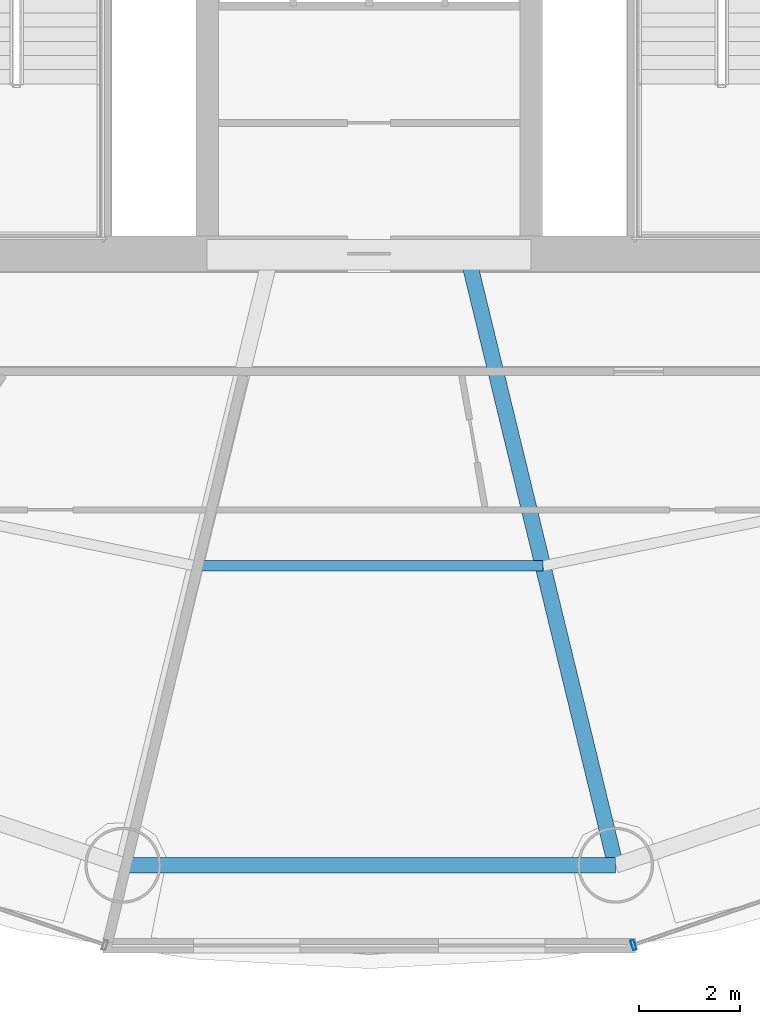
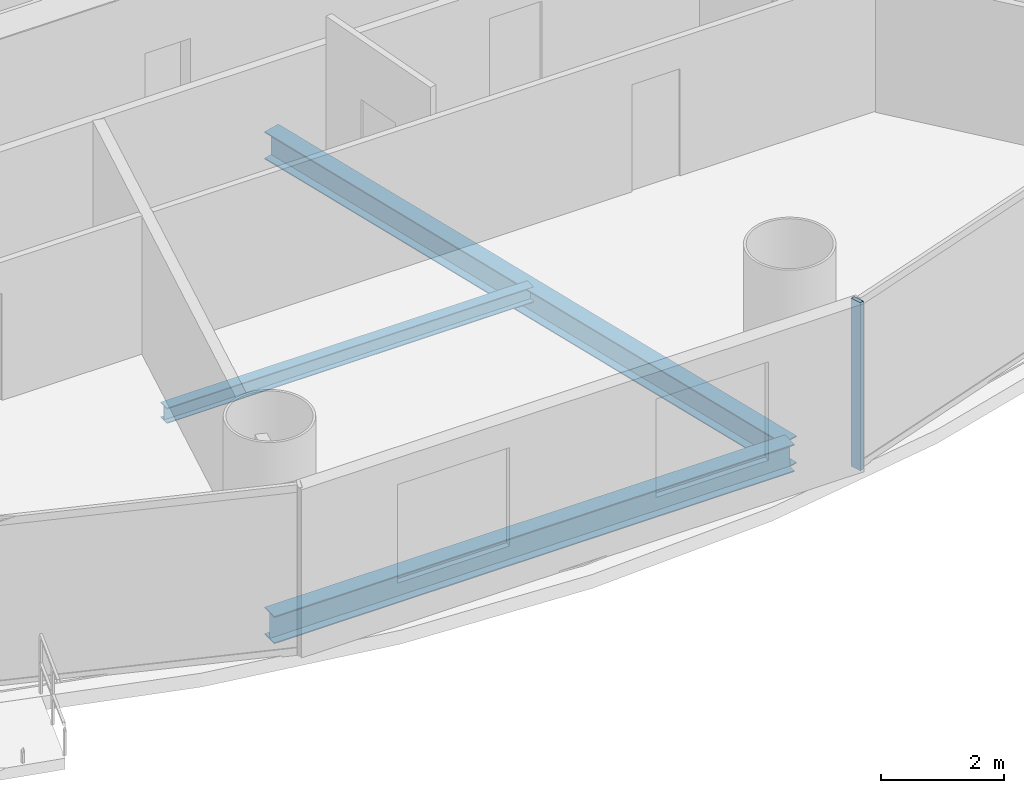
# One storey, part 5 of 29: 3 beams, 1 member, 1 element without a shape of its own.
"""IFC4 building model written with IfcOpenShell, lengths in metres."""

from ifc_helpers import new_model, si_unit, direction, frame, origin, origin_2d, place, context, subcontext, project, spatial, hollow_rectangle, i_section, extrude, source, transform, mapped, material, material_profile, profile_set, type_object, element, aggregate, save


model = new_model("IFC4")

# Units and contexts
model_context = context("Model", 3, precision=1e-05, world=origin(), true_north=direction((-0.2419218956, 0.970295726276)))
body_context = subcontext(model_context, "Body", "Model", "MODEL_VIEW")
ifc_project = project(units=[si_unit("LENGTHUNIT", "METRE"), si_unit("AREAUNIT", "SQUARE_METRE"), si_unit("VOLUMEUNIT", "CUBIC_METRE"), si_unit("PLANEANGLEUNIT", "RADIAN"), si_unit("MASSUNIT", "GRAM", prefix="KILO")], contexts=[model_context])

# Site, building, storey
site_placement = place(None, origin())
site = spatial("IfcSite", under=ifc_project, at=site_placement, CompositionType="ELEMENT")
building_placement = place(site_placement, origin())
building = spatial("IfcBuilding", under=site, at=building_placement, Name="Cobrevalo Terracotta Tower", CompositionType="ELEMENT")
storey_placement = place(building_placement, frame((0.0, 0.0, 90.60009765625)))
storey = spatial("IfcBuildingStorey", under=building, at=storey_placement, Name="L23", CompositionType="ELEMENT", Elevation=90.60009765625)

# Beams
ifc_material_1 = material(Name="Steel S355", Category="steel")
ifc_material_profile_1 = material_profile(ifc_material_1, i_section(OverallWidth=0.31201171875, OverallDepth=0.54296875, WebThickness=0.0126953125, FlangeThickness=0.020263671875, at=origin_2d()), Name="W 530x150")
ifc_profile_set_1 = profile_set([ifc_material_profile_1], Name="Steel S355")
beam_type_1 = type_object("IfcBeamType", Name="Structural Beam W 530x150 (Steel S355)", PredefinedType="BEAM", material=ifc_profile_set_1)
beam_1_placement = place(storey_placement, frame((42.867431640625, 6.742919921875, -0.546630859375), z_axis=(-0.235827379387, 0.971794961467, 0.0), x_axis=(-0.971794961467, -0.235827379387, 0.0)))
element("IfcBeam", 1, at=beam_1_placement, inside=storey, type_object=beam_type_1, Name="L23 radial floor girder 13", PredefinedType="BEAM", context=body_context, shape_type="SweptSolid", body=[
    extrude(i_section(OverallWidth=0.31201171875, OverallDepth=0.54296875, WebThickness=0.0126953125, FlangeThickness=0.020263671875, at=origin_2d()), origin(), (0.0, 0.0, 1.0), 12.17041015625),
])
ifc_material_profile_2 = material_profile(ifc_material_1, i_section(OverallWidth=0.2041015625, OverallDepth=0.305908203125, WebThickness=0.008544921875, FlangeThickness=0.0146484375, at=origin_2d()), Name="W 310x67")
ifc_profile_set_2 = profile_set([ifc_material_profile_2], Name="Steel S355")
beam_type_2 = type_object("IfcBeamType", Name="Structural Joist W 310x67 (Steel S355)", PredefinedType="JOIST", material=ifc_profile_set_2)
beam_2_placement = place(storey_placement, frame((34.567626953125, 12.656494140625, -0.427978515625), z_axis=(1.0, 0.0, 0.0), x_axis=(0.0, 1.0, 0.0)))
element("IfcBeam", 2, at=beam_2_placement, inside=storey, type_object=beam_type_2, Name="L23 circumferential secondary floor joist 12", PredefinedType="JOIST", context=body_context, shape_type="SweptSolid", body=[
    extrude(i_section(OverallWidth=0.2041015625, OverallDepth=0.305908203125, WebThickness=0.008544921875, FlangeThickness=0.0146484375, at=origin_2d()), origin(), (0.0, 0.0, 1.0), 6.86474609375),
])
ifc_material_profile_3 = material_profile(ifc_material_1, i_section(OverallWidth=0.31201171875, OverallDepth=0.54296875, WebThickness=0.0126953125, FlangeThickness=0.020263671875, at=origin_2d()), Name="W 530x150")
ifc_profile_set_3 = profile_set([ifc_material_profile_3], Name="Steel S355")
beam_type_3 = type_object("IfcBeamType", Name="Structural Spandrel W 530x150 (Steel S355)", PredefinedType="SPANDREL", material=ifc_profile_set_3)
beam_3_placement = place(storey_placement, frame((33.132568359375, 6.742919921875, -0.546630859375), z_axis=(1.0, 0.0, 0.0), x_axis=(0.0, 1.0, 0.0)))
element("IfcBeam", 3, at=beam_3_placement, inside=storey, type_object=beam_type_3, Name="L23 perimeter ring spandrel 12", PredefinedType="SPANDREL", context=body_context, shape_type="SweptSolid", body=[
    extrude(i_section(OverallWidth=0.31201171875, OverallDepth=0.54296875, WebThickness=0.0126953125, FlangeThickness=0.020263671875, at=origin_2d()), origin(), (0.0, 0.0, 1.0), 9.73486328125),
])

# Curtain wall, member
ifc_material_2 = material(Name="Anodized aluminium", Category="aluminium")
curtain_wall_type = type_object("IfcCurtainWallType", Name="Lower-tower unitised acoustic low-E curtain wall CW-U1", PredefinedType="NOTDEFINED", material=ifc_material_2)
curtain_wall_placement = place(storey_placement, origin())
curtain_wall = element("IfcCurtainWall", 4, at=curtain_wall_placement, inside=storey, type_object=curtain_wall_type, Name="L23 curtain wall CW-L23-S13", PredefinedType="NOTDEFINED")
ifc_material_profile_4 = material_profile(ifc_material_2, hollow_rectangle(XDim=0.074951171875, YDim=0.199951171875, WallThickness=0.0048828125, at=origin_2d()), Name="CWM 75x200")
ifc_profile_set_4 = profile_set([ifc_material_profile_4], Name="Anodized aluminium")
member_type = type_object("IfcMemberType", Name="Lower/mid tower unitised mullion 75x200", PredefinedType="MULLION", material=ifc_profile_set_4)
shared_shape = source(origin(), body_context, "Body", "SweptSolid", [
    extrude(hollow_rectangle(XDim=0.074951171875, YDim=0.199951171875, WallThickness=0.0048828125, at=origin_2d()), origin(), (0.0, 0.0, 1.0), 3.324951171875),
])
member_placement = place(storey_placement, frame((43.221435546875, 5.1669921875, 0.0), z_axis=(0.0, 0.0, 1.0), x_axis=(0.94559809868, 0.325337110968, 0.0)))
member = element("IfcMember", 5, at=member_placement, type_object=member_type, Name="CW-L23-S13 vertical mullion 01", PredefinedType="MULLION", context=body_context, shape_type="MappedRepresentation", body=[
    mapped(shared_shape, transform((0.0, 0.0, 0.0), scale=1.0)),
])
aggregate(curtain_wall, [member])

save(model, "model.ifc")
